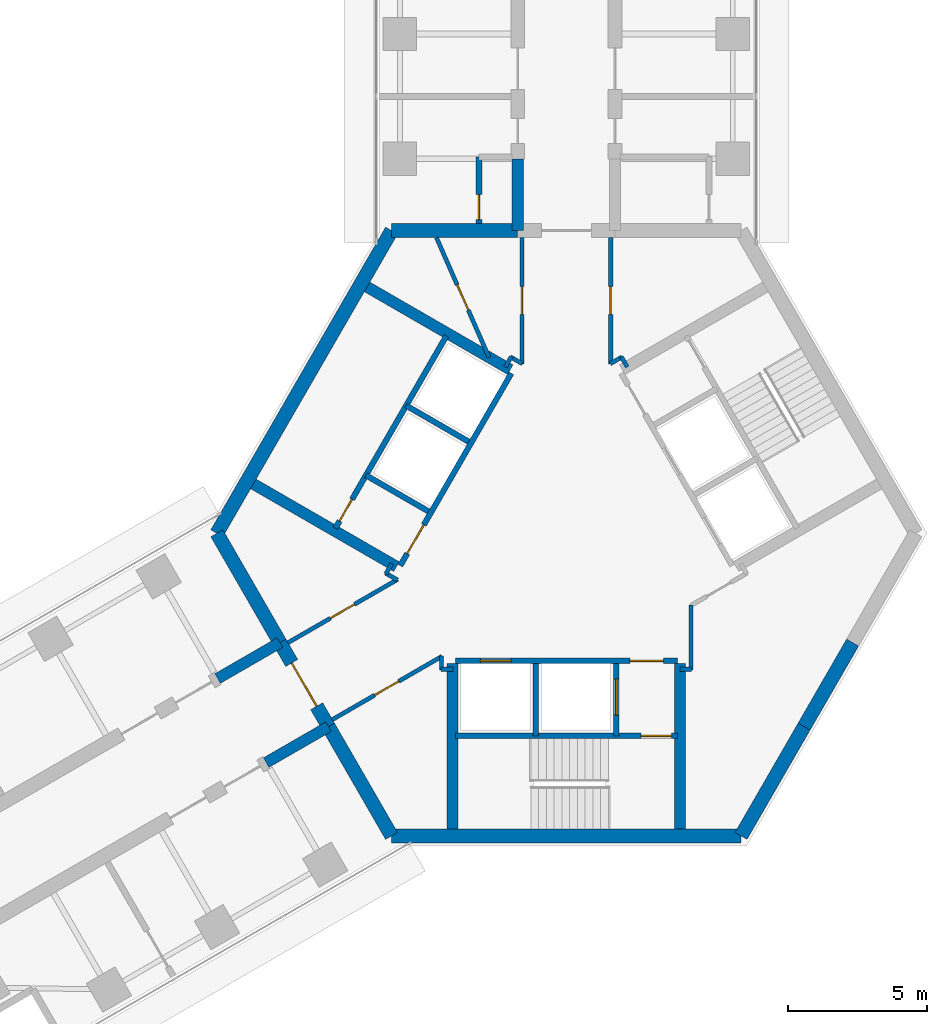
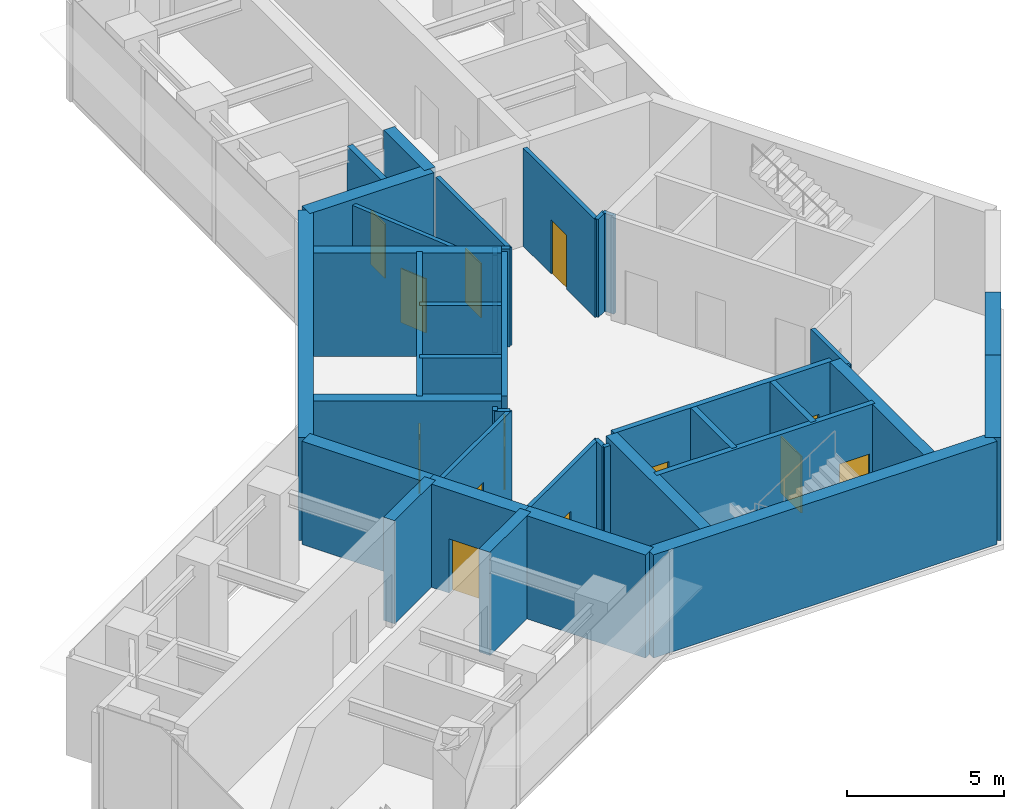
# One storey, part 14 of 17: 39 walls, 13 doors, 13 openings.
"""IFC4 building model written with IfcOpenShell, lengths in metres."""

from ifc_helpers import new_model, si_unit, direction, frame, frame_2d, origin, place, context, subcontext, project, spatial, rectangle, extrude, material, layer, layer_set, type_object, element, fill, save


model = new_model("IFC4")

# Units and contexts
model_context = context("Model", 3, precision=1e-05, world=origin(), true_north=direction((0.0, 1.0)))
body_context = subcontext(model_context, "Body", "Model", "MODEL_VIEW")
ifc_project = project(units=[si_unit("LENGTHUNIT", "METRE"), si_unit("AREAUNIT", "SQUARE_METRE"), si_unit("VOLUMEUNIT", "CUBIC_METRE"), si_unit("PLANEANGLEUNIT", "RADIAN"), si_unit("MASSUNIT", "GRAM", prefix="KILO")], contexts=[model_context])

# Site, building, storey
site_placement = place(None, origin())
site = spatial("IfcSite", under=ifc_project, at=site_placement, CompositionType="ELEMENT")
building_placement = place(site_placement, origin())
building = spatial("IfcBuilding", under=site, at=building_placement, Name="Upepo Twin Towers", CompositionType="ELEMENT")
storey_placement = place(building_placement, frame((0.0, 0.0, 182.5)))
storey = spatial("IfcBuildingStorey", under=building, at=storey_placement, Name="L44", CompositionType="ELEMENT", Elevation=182.5)

# Wall, opening, door
ifc_material_1 = material(Name="Concrete blockwork, plastered both faces", Category="masonry")
ifc_layer_1 = layer(ifc_material_1, 0.215087890625)
ifc_layer_set_1 = layer_set([ifc_layer_1], Name="Blockwork partition 215")
wall_type_1 = type_object("IfcWallType", Name="Blockwork partition 215", PredefinedType="PARTITIONING", material=ifc_layer_set_1)
wall_1_placement = place(storey_placement, frame((55.35009765625, -6.842041015625, 0.0), z_axis=(0.0, 0.0, 1.0), x_axis=(0.0, 1.0, 0.0)))
wall_1 = element("IfcWall", 1, at=wall_1_placement, inside=storey, type_object=wall_type_1, Name="T2 WC bay partition AL at 11.16", PredefinedType="PARTITIONING", context=body_context, shape_type="SweptSolid", body=[
    extrude(rectangle(XDim=2.400146484375, YDim=0.215087890625, at=frame_2d((1.2001953125, 0.0))), origin(), (0.0, 0.0, 1.0), 3.800048828125),
])
opening_1_placement = place(wall_1_placement, frame((0.14990234375, 0.0, 0.0)))
opening_1 = element("IfcOpeningElement", 2, at=opening_1_placement, cuts=wall_1, Name="Opening D14", PredefinedType="OPENING", context=body_context, shape_type="SweptSolid", body=[
    extrude(rectangle(XDim=0.89990234375, YDim=2.10009765625, at=frame_2d((0.449951171875, 1.050048828125))), frame((0.0, 0.117431640625, 0.0), z_axis=(0.0, -1.0, 0.0), x_axis=(1.0, 0.0, 0.0)), (0.0, 0.0, 1.0), 0.235107421875),
])
ifc_material_2 = material(Name="Timber doorset", Category="wood")
door_type_1 = type_object("IfcDoorType", Name="Office door 900 FD30", OperationType="SINGLE_SWING_LEFT", PredefinedType="DOOR", material=ifc_material_2)
door_1_placement = place(opening_1_placement, origin())
door_1 = element("IfcDoor", 3, at=door_1_placement, inside=storey, type_object=door_type_1, Name="T2 L44 WC bay inner room door", OperationType="SINGLE_SWING_LEFT", OverallHeight=2.10009765625, OverallWidth=0.89990234375, PredefinedType="DOOR", context=body_context, shape_type="SweptSolid", body=[
    extrude(rectangle(XDim=0.89990234375, YDim=2.10009765625, at=frame_2d((0.449951171875, 1.050048828125))), frame((0.0, 0.02490234375, 0.0), z_axis=(0.0, -1.0, 0.0), x_axis=(1.0, 0.0, 0.0)), (0.0, 0.0, 1.0), 0.050048828125),
])
fill(opening_1, door_1)

# Walls
ifc_material_3 = material(Name="Concrete C60/75", Category="concrete")
ifc_layer_2 = layer(ifc_material_3, 0.39990234375)
ifc_layer_set_2 = layer_set([ifc_layer_2], Name="Concrete C60/75")
wall_type_2 = type_object("IfcWallType", Name="Buttress wall 400 RC", PredefinedType="SHEAR", material=ifc_layer_set_2)
wall_2_placement = place(storey_placement, frame((56.75, -7.091552734375, 0.0), z_axis=(0.0, 0.0, 1.0), x_axis=(0.0, 1.0, 0.0)))
element("IfcWall", 4, at=wall_2_placement, inside=storey, type_object=wall_type_2, Name="T2 wing A buttress wall L", PredefinedType="SHEAR", context=body_context, shape_type="SweptSolid", body=[
    extrude(rectangle(XDim=2.591552734375, YDim=0.39990234375, at=frame_2d((1.2958984375, 0.0))), origin(), (0.0, 0.0, 1.0), 4.0),
])
for number, where, z_axis, x_axis, name in (
    (5, (49.92822265625, -24.9697265625, 0.0), (0.0, 0.0, 1.0), (-0.866031863473, -0.499988811324, 0.0), "T2 wing B buttress wall L"),
    (6, (48.17822265625, -21.938720703125, 0.0), (0.0, 0.0, 1.0), (-0.866072649678, -0.499918158782, 0.0), "T2 wing B buttress wall R"),
):
    element("IfcWall", number, at=place(storey_placement, frame(where, z_axis=z_axis, x_axis=x_axis)), inside=storey, type_object=wall_type_2, Name=name, PredefinedType="SHEAR", context=body_context, shape_type="SweptSolid", body=[
        extrude(rectangle(XDim=2.591796875, YDim=0.39990234375, at=frame_2d((1.2958984375, 0.0))), origin(), (0.0, 0.0, 1.0), 4.0),
    ])
ifc_material_4 = material(Name="Concrete C60/75", Category="concrete")
ifc_layer_3 = layer(ifc_material_4, 0.5)
ifc_layer_set_3 = layer_set([ifc_layer_3], Name="Concrete C60/75")
wall_type_3 = type_object("IfcWallType", Name="Core wall 500 RC", PredefinedType="SHEAR", material=ifc_layer_set_3)
wall_3_placement = place(storey_placement, frame((56.75, -7.091552734375, 0.0), z_axis=(0.0, 0.0, 1.0), x_axis=(-1.0, 0.0, 0.0)))
element("IfcWall", 7, at=wall_3_placement, inside=storey, type_object=wall_type_3, Name="T2 core wall 000 L", PredefinedType="SHEAR", context=body_context, shape_type="SweptSolid", body=[
    extrude(rectangle(XDim=4.5478515625, YDim=0.5, at=frame_2d((2.27392578125, 0.0))), origin(), (0.0, 0.0, 1.0), 4.0),
])
wall_4_placement = place(storey_placement, frame((52.2021484375, -7.091552734375, 0.0), z_axis=(0.0, 0.0, 1.0), x_axis=(-0.500005998175, -0.866021940709, 0.0)))
element("IfcWall", 8, at=wall_4_placement, inside=storey, type_object=wall_type_3, Name="T2 core wall 060", PredefinedType="SHEAR", context=body_context, shape_type="SweptSolid", body=[
    extrude(rectangle(XDim=12.595947265625, YDim=0.5, at=frame_2d((6.2978515625, 0.0))), origin(), (0.0, 0.0, 1.0), 4.0),
])
wall_5_placement = place(storey_placement, frame((45.904052734375, -18.0, 0.0), z_axis=(0.0, 0.0, 1.0), x_axis=(0.500024481964, -0.866011268655, 0.0)))
element("IfcWall", 9, at=wall_5_placement, inside=storey, type_object=wall_type_3, Name="T2 core wall 120 R", PredefinedType="SHEAR", context=body_context, shape_type="SweptSolid", body=[
    extrude(rectangle(XDim=4.548095703125, YDim=0.5, at=frame_2d((2.27392578125, 0.0))), origin(), (0.0, 0.0, 1.0), 4.0),
])

# Wall, opening, door
wall_6_placement = place(storey_placement, frame((48.17822265625, -21.938720703125, 0.0), z_axis=(0.0, 0.0, 1.0), x_axis=(0.500010275428, -0.866019471182, 0.0)))
wall_6 = element("IfcWall", 10, at=wall_6_placement, inside=storey, type_object=wall_type_3, Name="T2 core wall 120", PredefinedType="SHEAR", context=body_context, shape_type="SweptSolid", body=[
    extrude(rectangle(XDim=3.5, YDim=0.5, at=frame_2d((1.75, 0.0))), origin(), (0.0, 0.0, 1.0), 4.0),
])
opening_2_placement = place(wall_6_placement, frame((0.85009765625, 0.0, 0.0)))
opening_2 = element("IfcOpeningElement", 11, at=opening_2_placement, cuts=wall_6, Name="Opening D2", PredefinedType="OPENING", context=body_context, shape_type="SweptSolid", body=[
    extrude(rectangle(XDim=1.800048828125, YDim=2.10009765625, at=frame_2d((0.89990234375, 1.050048828125))), frame((0.0, 0.260009765625, 0.0), z_axis=(0.0, -1.0, 0.0), x_axis=(1.0, 0.0, 0.0)), (0.0, 0.0, 1.0), 0.52001953125),
])
ifc_material_5 = material(Name="Timber doorset", Category="wood")
door_type_2 = type_object("IfcDoorType", Name="Corridor double door 1800 FD60", OperationType="DOUBLE_DOOR_DOUBLE_SWING", PredefinedType="DOOR", material=ifc_material_5)
door_2_placement = place(opening_2_placement, origin())
door_2 = element("IfcDoor", 12, at=door_2_placement, inside=storey, type_object=door_type_2, Name="T2 L44 wing B corridor door", OperationType="DOUBLE_DOOR_DOUBLE_SWING", OverallHeight=2.10009765625, OverallWidth=1.800048828125, PredefinedType="DOOR", context=body_context, shape_type="SweptSolid", body=[
    extrude(rectangle(XDim=1.800048828125, YDim=2.10009765625, at=frame_2d((0.89990234375, 1.050048828125))), frame((0.0, 0.02490234375, 0.0), z_axis=(0.0, -1.0, 0.0), x_axis=(1.0, 0.0, 0.0)), (0.0, 0.0, 1.0), 0.050048828125),
])
fill(opening_2, door_2)

# Walls
wall_7_placement = place(storey_placement, frame((49.92822265625, -24.9697265625, 0.0), z_axis=(0.0, 0.0, 1.0), x_axis=(0.499984222037, -0.866034513004, 0.0)))
element("IfcWall", 13, at=wall_7_placement, inside=storey, type_object=wall_type_3, Name="T2 core wall 120 L", PredefinedType="SHEAR", context=body_context, shape_type="SweptSolid", body=[
    extrude(rectangle(XDim=4.548095703125, YDim=0.5, at=frame_2d((2.27392578125, 0.0))), origin(), (0.0, 0.0, 1.0), 4.0),
])
wall_8_placement = place(storey_placement, frame((52.2021484375, -28.908447265625, 0.0), z_axis=(0.0, 0.0, 1.0), x_axis=(1.0, 0.0, 0.0)))
element("IfcWall", 14, at=wall_8_placement, inside=storey, type_object=wall_type_3, Name="T2 core wall 180", PredefinedType="SHEAR", context=body_context, shape_type="SweptSolid", body=[
    extrude(rectangle(XDim=12.595703125, YDim=0.5, at=frame_2d((6.2978515625, 0.0))), origin(), (0.0, 0.0, 1.0), 4.0),
])
wall_9_placement = place(storey_placement, frame((64.7978515625, -28.908447265625, 0.0), z_axis=(0.0, 0.0, 1.0), x_axis=(0.499984222037, 0.866034513004, 0.0)))
element("IfcWall", 15, at=wall_9_placement, inside=storey, type_object=wall_type_3, Name="T2 core wall 240 R", PredefinedType="SHEAR", context=body_context, shape_type="SweptSolid", body=[
    extrude(rectangle(XDim=4.548095703125, YDim=0.5, at=frame_2d((2.27392578125, 0.0))), origin(), (0.0, 0.0, 1.0), 4.0),
])
wall_10_placement = place(storey_placement, frame((67.07177734375, -24.9697265625, 0.0), z_axis=(0.0, 0.0, 1.0), x_axis=(0.500010275428, 0.866019471182, 0.0)))
element("IfcWall", 16, at=wall_10_placement, inside=storey, type_object=wall_type_3, Name="T2 core wall 240", PredefinedType="SHEAR", context=body_context, shape_type="SweptSolid", body=[
    extrude(rectangle(XDim=3.5, YDim=0.5, at=frame_2d((1.75, 0.0))), origin(), (0.0, 0.0, 1.0), 4.0),
])

# Wall, opening, door
ifc_material_6 = material(Name="Concrete C40/50", Category="concrete")
ifc_layer_4 = layer(ifc_material_6, 0.199951171875)
ifc_layer_set_4 = layer_set([ifc_layer_4], Name="Concrete C40/50")
wall_type_4 = type_object("IfcWallType", Name="Shaft wall 200 RC", PredefinedType="SHEAR", material=ifc_layer_set_4)
wall_11_placement = place(storey_placement, frame((56.516357421875, -12.23583984375, 0.0), z_axis=(0.0, 0.0, 1.0), x_axis=(-0.49999894854, -0.866026010844, 0.0)))
wall_11 = element("IfcWall", 17, at=wall_11_placement, inside=storey, type_object=wall_type_4, Name="T2 core W60 front wall", PredefinedType="SHEAR", context=body_context, shape_type="SweptSolid", body=[
    extrude(rectangle(XDim=8.0, YDim=0.199951171875, at=frame_2d((4.0, 0.0))), origin(), (0.0, 0.0, 1.0), 4.0),
])
opening_3_placement = place(wall_11_placement, frame((6.300048828125, 0.0, 0.0)))
opening_3 = element("IfcOpeningElement", 18, at=opening_3_placement, cuts=wall_11, Name="Opening D4", PredefinedType="OPENING", context=body_context, shape_type="SweptSolid", body=[
    extrude(rectangle(XDim=1.199951171875, YDim=2.10009765625, at=frame_2d((0.60009765625, 1.050048828125))), frame((0.0, 0.10986328125, 0.0), z_axis=(0.0, -1.0, 0.0), x_axis=(1.0, 0.0, 0.0)), (0.0, 0.0, 1.0), 0.219970703125),
])
ifc_material_7 = material(Name="Timber doorset", Category="wood")
door_type_3 = type_object("IfcDoorType", Name="Lobby door 1200 FD60", OperationType="SINGLE_SWING_LEFT", PredefinedType="DOOR", material=ifc_material_7)
door_3_placement = place(opening_3_placement, origin())
door_3 = element("IfcDoor", 19, at=door_3_placement, inside=storey, type_object=door_type_3, Name="T2 L44 W60 lobby door", OperationType="SINGLE_SWING_RIGHT", OverallHeight=2.10009765625, OverallWidth=1.199951171875, PredefinedType="DOOR", context=body_context, shape_type="SweptSolid", body=[
    extrude(rectangle(XDim=1.199951171875, YDim=2.10009765625, at=frame_2d((0.60009765625, 1.050048828125))), frame((0.0, 0.02490234375, 0.0), z_axis=(0.0, -1.0, 0.0), x_axis=(1.0, 0.0, 0.0)), (0.0, 0.0, 1.0), 0.050048828125),
])
fill(opening_3, door_3)

# Walls
for number, where, z_axis, x_axis, name in (
    (20, (54.979736328125, -14.697265625, 0.0), (0.0, 0.0, 1.0), (-0.866062058628, 0.499936506574, 0.0), "T2 core W60 shaft divider"),
    (21, (53.52978515625, -17.208740234375, 0.0), (0.0, 0.0, 1.0), (-0.866062058628, 0.499936506574, 0.0), "T2 core W60 lobby wall"),
):
    element("IfcWall", number, at=place(storey_placement, frame(where, z_axis=z_axis, x_axis=x_axis)), inside=storey, type_object=wall_type_4, Name=name, PredefinedType="SHEAR", context=body_context, shape_type="SweptSolid", body=[
        extrude(rectangle(XDim=2.599853515625, YDim=0.199951171875, at=frame_2d((1.2998046875, 0.0))), origin(), (0.0, 0.0, 1.0), 4.0),
    ])

# Wall, opening, door
wall_12_placement = place(storey_placement, frame((54.177978515625, -10.885986328125, 0.0), z_axis=(0.0, 0.0, 1.0), x_axis=(-0.49999894854, -0.866026010844, 0.0)))
wall_12 = element("IfcWall", 22, at=wall_12_placement, inside=storey, type_object=wall_type_4, Name="T2 core W60 stair wall", PredefinedType="SHEAR", context=body_context, shape_type="SweptSolid", body=[
    extrude(rectangle(XDim=8.0, YDim=0.199951171875, at=frame_2d((4.0, 0.0))), origin(), (0.0, 0.0, 1.0), 4.0),
])
opening_4_placement = place(wall_12_placement, frame((6.800048828125, 0.0, 0.0)))
opening_4 = element("IfcOpeningElement", 23, at=opening_4_placement, cuts=wall_12, Name="Opening D9", PredefinedType="OPENING", context=body_context, shape_type="SweptSolid", body=[
    extrude(rectangle(XDim=0.89990234375, YDim=2.10009765625, at=frame_2d((0.449951171875, 1.050048828125))), frame((0.0, 0.10986328125, 0.0), z_axis=(0.0, -1.0, 0.0), x_axis=(1.0, 0.0, 0.0)), (0.0, 0.0, 1.0), 0.219970703125),
])
ifc_material_8 = material(Name="Timber doorset", Category="wood")
door_type_4 = type_object("IfcDoorType", Name="Riser door 900 FD60", OperationType="SINGLE_SWING_LEFT", PredefinedType="DOOR", material=ifc_material_8)
door_4_placement = place(opening_4_placement, origin())
door_4 = element("IfcDoor", 24, at=door_4_placement, inside=storey, type_object=door_type_4, Name="T2 L44 riser door", OperationType="SINGLE_SWING_RIGHT", OverallHeight=2.10009765625, OverallWidth=0.89990234375, PredefinedType="DOOR", context=body_context, shape_type="SweptSolid", body=[
    extrude(rectangle(XDim=0.89990234375, YDim=2.10009765625, at=frame_2d((0.449951171875, 1.050048828125))), frame((0.0, 0.02490234375, 0.0), z_axis=(0.0, -1.0, 0.0), x_axis=(1.0, 0.0, 0.0)), (0.0, 0.0, 1.0), 0.050048828125),
])
fill(opening_4, door_4)

# Wall, openings, doors
wall_13_placement = place(storey_placement, frame((54.5, -22.60009765625, 0.0), z_axis=(0.0, 0.0, 1.0), x_axis=(1.0, 0.0, 0.0)))
wall_13 = element("IfcWall", 25, at=wall_13_placement, inside=storey, type_object=wall_type_4, Name="T2 core W180 front wall", PredefinedType="SHEAR", context=body_context, shape_type="SweptSolid", body=[
    extrude(rectangle(XDim=8.0, YDim=0.199951171875, at=frame_2d((4.0, 0.0))), origin(), (0.0, 0.0, 1.0), 4.0),
])
opening_5_placement = place(wall_13_placement, frame((6.300048828125, 0.0, 0.0)))
opening_5 = element("IfcOpeningElement", 26, at=opening_5_placement, cuts=wall_13, Name="Opening D4", PredefinedType="OPENING", context=body_context, shape_type="SweptSolid", body=[
    extrude(rectangle(XDim=1.199951171875, YDim=2.10009765625, at=frame_2d((0.60009765625, 1.050048828125))), frame((0.0, 0.10986328125, 0.0), z_axis=(0.0, -1.0, 0.0), x_axis=(1.0, 0.0, 0.0)), (0.0, 0.0, 1.0), 0.219970703125),
])
opening_6_placement = place(wall_13_placement, frame((0.89990234375, 0.0, 0.0)))
opening_6 = element("IfcOpeningElement", 27, at=opening_6_placement, cuts=wall_13, Name="Opening LD1", PredefinedType="OPENING", context=body_context, shape_type="SweptSolid", body=[
    extrude(rectangle(XDim=1.10009765625, YDim=2.199951171875, at=frame_2d((0.550048828125, 1.10009765625))), frame((0.0, 0.10986328125, 0.0), z_axis=(0.0, -1.0, 0.0), x_axis=(1.0, 0.0, 0.0)), (0.0, 0.0, 1.0), 0.219970703125),
])
ifc_material_9 = material(Name="Steel doorset", Category="steel")
door_type_5 = type_object("IfcDoorType", Name="Lift landing door 1100", OperationType="DOUBLE_DOOR_SLIDING", PredefinedType="DOOR", material=ifc_material_9)
door_5_placement = place(opening_6_placement, origin())
door_5 = element("IfcDoor", 28, at=door_5_placement, inside=storey, type_object=door_type_5, Name="T2 L44 lift SV1 landing door", OperationType="DOUBLE_DOOR_SLIDING", OverallHeight=2.199951171875, OverallWidth=1.10009765625, PredefinedType="DOOR", context=body_context, shape_type="SweptSolid", body=[
    extrude(rectangle(XDim=1.10009765625, YDim=2.199951171875, at=frame_2d((0.550048828125, 1.10009765625))), frame((0.0, 0.02490234375, 0.0), z_axis=(0.0, -1.0, 0.0), x_axis=(1.0, 0.0, 0.0)), (0.0, 0.0, 1.0), 0.050048828125),
])
fill(opening_6, door_5)
door_6_placement = place(opening_5_placement, origin())
door_6 = element("IfcDoor", 29, at=door_6_placement, inside=storey, type_object=door_type_3, Name="T2 L44 W180 lobby door", OperationType="SINGLE_SWING_RIGHT", OverallHeight=2.10009765625, OverallWidth=1.199951171875, PredefinedType="DOOR", context=body_context, shape_type="SweptSolid", body=[
    extrude(rectangle(XDim=1.199951171875, YDim=2.10009765625, at=frame_2d((0.60009765625, 1.050048828125))), frame((0.0, 0.02490234375, 0.0), z_axis=(0.0, -1.0, 0.0), x_axis=(1.0, 0.0, 0.0)), (0.0, 0.0, 1.0), 0.050048828125),
])
fill(opening_5, door_6)

# Wall
wall_14_placement = place(storey_placement, frame((57.39990234375, -22.699951171875, 0.0), z_axis=(0.0, 0.0, 1.0), x_axis=(0.0, -1.0, 0.0)))
element("IfcWall", 30, at=wall_14_placement, inside=storey, type_object=wall_type_4, Name="T2 core W180 shaft divider", PredefinedType="SHEAR", context=body_context, shape_type="SweptSolid", body=[
    extrude(rectangle(XDim=2.60009765625, YDim=0.199951171875, at=frame_2d((1.300048828125, 0.0))), origin(), (0.0, 0.0, 1.0), 4.0),
])

# Wall, opening, door
wall_15_placement = place(storey_placement, frame((60.300048828125, -22.699951171875, 0.0), z_axis=(0.0, 0.0, 1.0), x_axis=(0.0, -1.0, 0.0)))
wall_15 = element("IfcWall", 31, at=wall_15_placement, inside=storey, type_object=wall_type_4, Name="T2 core W180 lobby wall", PredefinedType="SHEAR", context=body_context, shape_type="SweptSolid", body=[
    extrude(rectangle(XDim=2.60009765625, YDim=0.199951171875, at=frame_2d((1.300048828125, 0.0))), origin(), (0.0, 0.0, 1.0), 4.0),
])
opening_7_placement = place(wall_15_placement, frame((0.550048828125, 0.0, 0.0)))
opening_7 = element("IfcOpeningElement", 32, at=opening_7_placement, cuts=wall_15, Name="Opening LD2", PredefinedType="OPENING", context=body_context, shape_type="SweptSolid", body=[
    extrude(rectangle(XDim=1.300048828125, YDim=2.199951171875, at=frame_2d((0.64990234375, 1.10009765625))), frame((0.0, 0.10986328125, 0.0), z_axis=(0.0, -1.0, 0.0), x_axis=(1.0, 0.0, 0.0)), (0.0, 0.0, 1.0), 0.219970703125),
])
ifc_material_10 = material(Name="Steel doorset", Category="steel")
door_type_6 = type_object("IfcDoorType", Name="Firefighting lift landing door 1300", OperationType="DOUBLE_DOOR_SLIDING", PredefinedType="DOOR", material=ifc_material_10)
door_7_placement = place(opening_7_placement, origin())
door_7 = element("IfcDoor", 33, at=door_7_placement, inside=storey, type_object=door_type_6, Name="T2 L44 firefighting lift landing door", OperationType="DOUBLE_DOOR_SLIDING", OverallHeight=2.199951171875, OverallWidth=1.300048828125, PredefinedType="DOOR", context=body_context, shape_type="SweptSolid", body=[
    extrude(rectangle(XDim=1.300048828125, YDim=2.199951171875, at=frame_2d((0.64990234375, 1.10009765625))), frame((0.0, 0.02490234375, 0.0), z_axis=(0.0, -1.0, 0.0), x_axis=(1.0, 0.0, 0.0)), (0.0, 0.0, 1.0), 0.050048828125),
])
fill(opening_7, door_7)

wall_16_placement = place(storey_placement, frame((54.5, -25.300048828125, 0.0), z_axis=(0.0, 0.0, 1.0), x_axis=(1.0, 0.0, 0.0)))
wall_16 = element("IfcWall", 34, at=wall_16_placement, inside=storey, type_object=wall_type_4, Name="T2 core W180 stair wall", PredefinedType="SHEAR", context=body_context, shape_type="SweptSolid", body=[
    extrude(rectangle(XDim=8.0, YDim=0.199951171875, at=frame_2d((4.0, 0.0))), origin(), (0.0, 0.0, 1.0), 4.0),
])
opening_8_placement = place(wall_16_placement, frame((6.699951171875, 0.0, 0.0)))
opening_8 = element("IfcOpeningElement", 35, at=opening_8_placement, cuts=wall_16, Name="Opening D3", PredefinedType="OPENING", context=body_context, shape_type="SweptSolid", body=[
    extrude(rectangle(XDim=1.10009765625, YDim=2.10009765625, at=frame_2d((0.550048828125, 1.050048828125))), frame((0.0, 0.10986328125, 0.0), z_axis=(0.0, -1.0, 0.0), x_axis=(1.0, 0.0, 0.0)), (0.0, 0.0, 1.0), 0.219970703125),
])
ifc_material_11 = material(Name="Timber doorset", Category="wood")
door_type_7 = type_object("IfcDoorType", Name="Stair door 1100 FD60", OperationType="SINGLE_SWING_LEFT", PredefinedType="DOOR", material=ifc_material_11)
door_8_placement = place(opening_8_placement, origin())
door_8 = element("IfcDoor", 36, at=door_8_placement, inside=storey, type_object=door_type_7, Name="T2 L44 stair door", OperationType="SINGLE_SWING_RIGHT", OverallHeight=2.10009765625, OverallWidth=1.10009765625, PredefinedType="DOOR", context=body_context, shape_type="SweptSolid", body=[
    extrude(rectangle(XDim=1.10009765625, YDim=2.10009765625, at=frame_2d((0.550048828125, 1.050048828125))), frame((0.0, 0.02490234375, 0.0), z_axis=(0.0, -1.0, 0.0), x_axis=(1.0, 0.0, 0.0)), (0.0, 0.0, 1.0), 0.050048828125),
])
fill(opening_8, door_8)

# Walls
ifc_material_12 = material(Name="Concrete C40/50", Category="concrete")
ifc_layer_5 = layer(ifc_material_12, 0.39990234375)
ifc_layer_set_5 = layer_set([ifc_layer_5], Name="Concrete C40/50")
wall_type_5 = type_object("IfcWallType", Name="Shaft wall 400 RC", PredefinedType="SHEAR", material=ifc_layer_set_5)
wall_17_placement = place(storey_placement, frame((52.379638671875, -19.20068359375, 0.0), z_axis=(0.0, 0.0, 1.0), x_axis=(-0.866012946976, 0.500021575205, 0.0)))
element("IfcWall", 37, at=wall_17_placement, inside=storey, type_object=wall_type_5, Name="T2 core W60 side wall N", PredefinedType="SHEAR", context=body_context, shape_type="SweptSolid", body=[
    extrude(rectangle(XDim=5.958251953125, YDim=0.39990234375, at=frame_2d((2.97900390625, 0.0))), origin(), (0.0, 0.0, 1.0), 4.0),
])
for number, where, z_axis, x_axis, name in (
    (38, (56.479736328125, -12.099365234375, 0.0), (0.0, 0.0, 1.0), (-0.86602319114, 0.500003832394, 0.0), "T2 core W60 side wall S"),
    (39, (62.60009765625, -22.699951171875, 0.0), (0.0, 0.0, 1.0), (0.0, -1.0, 0.0), "T2 core W180 side wall N"),
    (40, (54.39990234375, -22.699951171875, 0.0), (0.0, 0.0, 1.0), (0.0, -1.0, 0.0), "T2 core W180 side wall S"),
):
    element("IfcWall", number, at=place(storey_placement, frame(where, z_axis=z_axis, x_axis=x_axis)), inside=storey, type_object=wall_type_5, Name=name, PredefinedType="SHEAR", context=body_context, shape_type="SweptSolid", body=[
        extrude(rectangle(XDim=5.95849609375, YDim=0.39990234375, at=frame_2d((2.979248046875, 0.0))), origin(), (0.0, 0.0, 1.0), 4.0),
    ])
ifc_material_13 = material(Name="Gypsum board on steel studs", Category="steel")
ifc_layer_6 = layer(ifc_material_13, 0.14990234375)
ifc_layer_set_6 = layer_set([ifc_layer_6], Name="Teaching partition 150 acoustic")
wall_type_6 = type_object("IfcWallType", Name="Teaching partition 150 acoustic", PredefinedType="PARTITIONING", material=ifc_layer_set_6)
for number, where, z_axis, x_axis, name in (
    (41, (63.02001953125, -22.89990234375, 0.0), (0.0, 0.0, 1.0), (-1.0, 0.0, 0.0), "T2 core room partition 1"),
    (42, (54.409912109375, -22.89990234375, 0.0), (0.0, 0.0, 1.0), (-1.0, 0.0, 0.0), "T2 core room partition 2"),
):
    element("IfcWall", number, at=place(storey_placement, frame(where, z_axis=z_axis, x_axis=x_axis)), inside=storey, type_object=wall_type_6, Name=name, PredefinedType="PARTITIONING", context=body_context, shape_type="SweptSolid", body=[
        extrude(rectangle(XDim=0.429931640625, YDim=0.14990234375, at=frame_2d((0.21484375, 0.0))), origin(), (0.0, 0.0, 1.0), 3.800048828125),
    ])
wall_18_placement = place(storey_placement, frame((54.0, -22.919921875, 0.0), z_axis=(0.0, 0.0, 1.0), x_axis=(0.0, 1.0, 0.0)))
element("IfcWall", 43, at=wall_18_placement, inside=storey, type_object=wall_type_6, Name="T2 core room partition 3", PredefinedType="PARTITIONING", context=body_context, shape_type="SweptSolid", body=[
    extrude(rectangle(XDim=0.494384765625, YDim=0.14990234375, at=frame_2d((0.2470703125, 0.0))), origin(), (0.0, 0.0, 1.0), 3.800048828125),
])

# Wall, opening, door
wall_19_placement = place(storey_placement, frame((54.017333984375, -22.435546875, 0.0), z_axis=(0.0, 0.0, 1.0), x_axis=(-0.866024503882, -0.500001558674, 0.0)))
wall_19 = element("IfcWall", 44, at=wall_19_placement, inside=storey, type_object=wall_type_6, Name="T2 core room partition 4", PredefinedType="PARTITIONING", context=body_context, shape_type="SweptSolid", body=[
    extrude(rectangle(XDim=4.568359375, YDim=0.14990234375, at=frame_2d((2.2841796875, 0.0))), origin(), (0.0, 0.0, 1.0), 3.800048828125),
])
opening_9_placement = place(wall_19_placement, frame((1.794189453125, 0.0, 0.0)))
opening_9 = element("IfcOpeningElement", 45, at=opening_9_placement, cuts=wall_19, Name="Opening D1", PredefinedType="OPENING", context=body_context, shape_type="SweptSolid", body=[
    extrude(rectangle(XDim=1.0, YDim=2.10009765625, at=frame_2d((0.5, 1.050048828125))), frame((0.0, 0.0849609375, 0.0), z_axis=(0.0, -1.0, 0.0), x_axis=(1.0, 0.0, 0.0)), (0.0, 0.0, 1.0), 0.169921875),
])
ifc_material_14 = material(Name="Timber doorset", Category="wood")
door_type_8 = type_object("IfcDoorType", Name="Room door 1000 FD30", OperationType="SINGLE_SWING_LEFT", PredefinedType="DOOR", material=ifc_material_14)
door_9_placement = place(opening_9_placement, origin())
door_9 = element("IfcDoor", 46, at=door_9_placement, inside=storey, type_object=door_type_8, Name="T2 L44 core room door K2", OperationType="SINGLE_SWING_RIGHT", OverallHeight=2.10009765625, OverallWidth=1.0, PredefinedType="DOOR", context=body_context, shape_type="SweptSolid", body=[
    extrude(rectangle(XDim=1.0, YDim=2.10009765625, at=frame_2d((0.5, 1.050048828125))), frame((0.0, 0.02490234375, 0.0), z_axis=(0.0, -1.0, 0.0), x_axis=(1.0, 0.0, 0.0)), (0.0, 0.0, 1.0), 0.050048828125),
])
fill(opening_9, door_9)

wall_20_placement = place(storey_placement, frame((48.4609375, -21.948486328125, 0.0), z_axis=(0.0, 0.0, 1.0), x_axis=(0.866024503882, 0.500001558674, 0.0)))
wall_20 = element("IfcWall", 47, at=wall_20_placement, inside=storey, type_object=wall_type_6, Name="T2 core room partition 5", PredefinedType="PARTITIONING", context=body_context, shape_type="SweptSolid", body=[
    extrude(rectangle(XDim=4.568359375, YDim=0.14990234375, at=frame_2d((2.2841796875, 0.0))), origin(), (0.0, 0.0, 1.0), 3.800048828125),
])
opening_10_placement = place(wall_20_placement, frame((1.774169921875, 0.0, 0.0)))
opening_10 = element("IfcOpeningElement", 48, at=opening_10_placement, cuts=wall_20, Name="Opening D1", PredefinedType="OPENING", context=body_context, shape_type="SweptSolid", body=[
    extrude(rectangle(XDim=1.0, YDim=2.10009765625, at=frame_2d((0.5, 1.050048828125))), frame((0.0, 0.0849609375, 0.0), z_axis=(0.0, -1.0, 0.0), x_axis=(1.0, 0.0, 0.0)), (0.0, 0.0, 1.0), 0.169921875),
])
door_10_placement = place(opening_10_placement, origin())
door_10 = element("IfcDoor", 49, at=door_10_placement, inside=storey, type_object=door_type_8, Name="T2 L44 core room door K1", OperationType="SINGLE_SWING_LEFT", OverallHeight=2.10009765625, OverallWidth=1.0, PredefinedType="DOOR", context=body_context, shape_type="SweptSolid", body=[
    extrude(rectangle(XDim=1.0, YDim=2.10009765625, at=frame_2d((0.5, 1.050048828125))), frame((0.0, 0.02490234375, 0.0), z_axis=(0.0, -1.0, 0.0), x_axis=(1.0, 0.0, 0.0)), (0.0, 0.0, 1.0), 0.050048828125),
])
fill(opening_10, door_10)

# Walls
wall_21_placement = place(storey_placement, frame((52.417236328125, -19.684326171875, 0.0), z_axis=(0.0, 0.0, 1.0), x_axis=(-0.865831790172, 0.50033519877, 0.0)))
element("IfcWall", 50, at=wall_21_placement, inside=storey, type_object=wall_type_6, Name="T2 core room partition 6", PredefinedType="PARTITIONING", context=body_context, shape_type="SweptSolid", body=[
    extrude(rectangle(XDim=0.494384765625, YDim=0.14990234375, at=frame_2d((0.2470703125, 0.0))), origin(), (0.0, 0.0, 1.0), 3.800048828125),
])
for number, where, z_axis, x_axis, name in (
    (51, (51.99658203125, -19.46435546875, 0.0), (0.0, 0.0, 1.0), (0.499804398801, 0.866138304741, 0.0), "T2 core room partition 7"),
    (52, (56.301513671875, -12.0078125, 0.0), (0.0, 0.0, 1.0), (0.500230298122, 0.865892400268, 0.0), "T2 core room partition 8"),
):
    element("IfcWall", number, at=place(storey_placement, frame(where, z_axis=z_axis, x_axis=x_axis)), inside=storey, type_object=wall_type_6, Name=name, PredefinedType="PARTITIONING", context=body_context, shape_type="SweptSolid", body=[
        extrude(rectangle(XDim=0.429931640625, YDim=0.14990234375, at=frame_2d((0.21484375, 0.0))), origin(), (0.0, 0.0, 1.0), 3.800048828125),
    ])
wall_22_placement = place(storey_placement, frame((56.4892578125, -11.642822265625, 0.0), z_axis=(0.0, 0.0, 1.0), x_axis=(0.865831790172, -0.50033519877, 0.0)))
element("IfcWall", 53, at=wall_22_placement, inside=storey, type_object=wall_type_6, Name="T2 core room partition 9", PredefinedType="PARTITIONING", context=body_context, shape_type="SweptSolid", body=[
    extrude(rectangle(XDim=0.494384765625, YDim=0.14990234375, at=frame_2d((0.2470703125, 0.0))), origin(), (0.0, 0.0, 1.0), 3.800048828125),
])

# Wall, opening, door
wall_23_placement = place(storey_placement, frame((56.89990234375, -11.900146484375, 0.0), z_axis=(0.0, 0.0, 1.0), x_axis=(0.0, 1.0, 0.0)))
wall_23 = element("IfcWall", 54, at=wall_23_placement, inside=storey, type_object=wall_type_6, Name="T2 core room partition 10", PredefinedType="PARTITIONING", context=body_context, shape_type="SweptSolid", body=[
    extrude(rectangle(XDim=4.568359375, YDim=0.14990234375, at=frame_2d((2.2841796875, 0.0))), origin(), (0.0, 0.0, 1.0), 3.800048828125),
])
opening_11_placement = place(wall_23_placement, frame((1.79443359375, 0.0, 0.0)))
opening_11 = element("IfcOpeningElement", 55, at=opening_11_placement, cuts=wall_23, Name="Opening D1", PredefinedType="OPENING", context=body_context, shape_type="SweptSolid", body=[
    extrude(rectangle(XDim=1.0, YDim=2.10009765625, at=frame_2d((0.5, 1.050048828125))), frame((0.0, 0.0849609375, 0.0), z_axis=(0.0, -1.0, 0.0), x_axis=(1.0, 0.0, 0.0)), (0.0, 0.0, 1.0), 0.169921875),
])
door_11_placement = place(opening_11_placement, origin())
door_11 = element("IfcDoor", 56, at=door_11_placement, inside=storey, type_object=door_type_8, Name="T2 L44 core room door K6", OperationType="SINGLE_SWING_RIGHT", OverallHeight=2.10009765625, OverallWidth=1.0, PredefinedType="DOOR", context=body_context, shape_type="SweptSolid", body=[
    extrude(rectangle(XDim=1.0, YDim=2.10009765625, at=frame_2d((0.5, 1.050048828125))), frame((0.0, 0.02490234375, 0.0), z_axis=(0.0, -1.0, 0.0), x_axis=(1.0, 0.0, 0.0)), (0.0, 0.0, 1.0), 0.050048828125),
])
fill(opening_11, door_11)

wall_24_placement = place(storey_placement, frame((60.10009765625, -7.331787109375, 0.0), z_axis=(0.0, 0.0, 1.0), x_axis=(0.0, -1.0, 0.0)))
wall_24 = element("IfcWall", 57, at=wall_24_placement, inside=storey, type_object=wall_type_6, Name="T2 core room partition 11", PredefinedType="PARTITIONING", context=body_context, shape_type="SweptSolid", body=[
    extrude(rectangle(XDim=4.568359375, YDim=0.14990234375, at=frame_2d((2.2841796875, 0.0))), origin(), (0.0, 0.0, 1.0), 3.800048828125),
])
opening_12_placement = place(wall_24_placement, frame((1.774169921875, 0.0, 0.0)))
opening_12 = element("IfcOpeningElement", 58, at=opening_12_placement, cuts=wall_24, Name="Opening D1", PredefinedType="OPENING", context=body_context, shape_type="SweptSolid", body=[
    extrude(rectangle(XDim=1.0, YDim=2.10009765625, at=frame_2d((0.5, 1.050048828125))), frame((0.0, 0.0849609375, 0.0), z_axis=(0.0, -1.0, 0.0), x_axis=(1.0, 0.0, 0.0)), (0.0, 0.0, 1.0), 0.169921875),
])
door_12_placement = place(opening_12_placement, origin())
door_12 = element("IfcDoor", 59, at=door_12_placement, inside=storey, type_object=door_type_8, Name="T2 L44 core room door K4", OperationType="SINGLE_SWING_LEFT", OverallHeight=2.10009765625, OverallWidth=1.0, PredefinedType="DOOR", context=body_context, shape_type="SweptSolid", body=[
    extrude(rectangle(XDim=1.0, YDim=2.10009765625, at=frame_2d((0.5, 1.050048828125))), frame((0.0, 0.02490234375, 0.0), z_axis=(0.0, -1.0, 0.0), x_axis=(1.0, 0.0, 0.0)), (0.0, 0.0, 1.0), 0.050048828125),
])
fill(opening_12, door_12)

# Walls
wall_25_placement = place(storey_placement, frame((60.082763671875, -11.89013671875, 0.0), z_axis=(0.0, 0.0, 1.0), x_axis=(0.865831790172, 0.50033519877, 0.0)))
element("IfcWall", 60, at=wall_25_placement, inside=storey, type_object=wall_type_6, Name="T2 core room partition 12", PredefinedType="PARTITIONING", context=body_context, shape_type="SweptSolid", body=[
    extrude(rectangle(XDim=0.494384765625, YDim=0.14990234375, at=frame_2d((0.2470703125, 0.0))), origin(), (0.0, 0.0, 1.0), 3.800048828125),
])
wall_26_placement = place(storey_placement, frame((60.4833984375, -11.635498046875, 0.0), z_axis=(0.0, 0.0, 1.0), x_axis=(0.500230298122, -0.865892400268, 0.0)))
element("IfcWall", 61, at=wall_26_placement, inside=storey, type_object=wall_type_6, Name="T2 core room partition 13", PredefinedType="PARTITIONING", context=body_context, shape_type="SweptSolid", body=[
    extrude(rectangle(XDim=0.429931640625, YDim=0.14990234375, at=frame_2d((0.21484375, 0.0))), origin(), (0.0, 0.0, 1.0), 3.800048828125),
])
wall_27_placement = place(storey_placement, frame((63.0, -20.578125, 0.0), z_axis=(0.0, 0.0, 1.0), x_axis=(0.0, -1.0, 0.0)))
element("IfcWall", 62, at=wall_27_placement, inside=storey, type_object=wall_type_6, Name="T2 core room partition 16", PredefinedType="PARTITIONING", context=body_context, shape_type="SweptSolid", body=[
    extrude(rectangle(XDim=2.341796875, YDim=0.14990234375, at=frame_2d((1.1708984375, 0.0))), origin(), (0.0, 0.0, 1.0), 3.800048828125),
])

# Wall, opening, door
wall_28_placement = place(storey_placement, frame((55.71484375, -11.65771484375, 0.0), z_axis=(0.0, 0.0, 1.0), x_axis=(-0.402073730919, 0.915607292951, 0.0)))
wall_28 = element("IfcWall", 63, at=wall_28_placement, inside=storey, type_object=wall_type_6, Name="T2 core room partition 17", PredefinedType="PARTITIONING", context=body_context, shape_type="SweptSolid", body=[
    extrude(rectangle(XDim=4.713623046875, YDim=0.14990234375, at=frame_2d((2.35693359375, 0.0))), origin(), (0.0, 0.0, 1.0), 3.800048828125),
])
opening_13_placement = place(wall_28_placement, frame((1.85693359375, 0.0, 0.0)))
opening_13 = element("IfcOpeningElement", 64, at=opening_13_placement, cuts=wall_28, Name="Opening D1", PredefinedType="OPENING", context=body_context, shape_type="SweptSolid", body=[
    extrude(rectangle(XDim=1.0, YDim=2.10009765625, at=frame_2d((0.5, 1.050048828125))), frame((0.0, 0.0849609375, 0.0), z_axis=(0.0, -1.0, 0.0), x_axis=(1.0, 0.0, 0.0)), (0.0, 0.0, 1.0), 0.169921875),
])
door_13_placement = place(opening_13_placement, origin())
door_13 = element("IfcDoor", 65, at=door_13_placement, inside=storey, type_object=door_type_8, Name="T2 L44 core room door K5", OperationType="SINGLE_SWING_LEFT", OverallHeight=2.10009765625, OverallWidth=1.0, PredefinedType="DOOR", context=body_context, shape_type="SweptSolid", body=[
    extrude(rectangle(XDim=1.0, YDim=2.10009765625, at=frame_2d((0.5, 1.050048828125))), frame((0.0, 0.02490234375, 0.0), z_axis=(0.0, -1.0, 0.0), x_axis=(1.0, 0.0, 0.0)), (0.0, 0.0, 1.0), 0.050048828125),
])
fill(opening_13, door_13)

save(model, "model.ifc")
